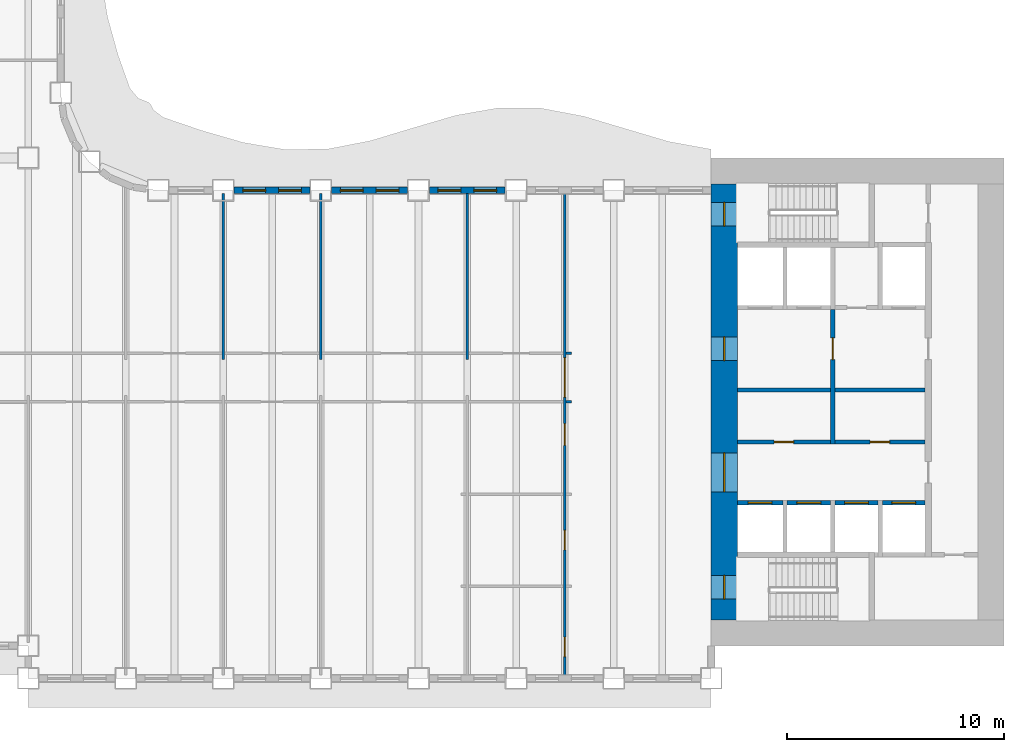
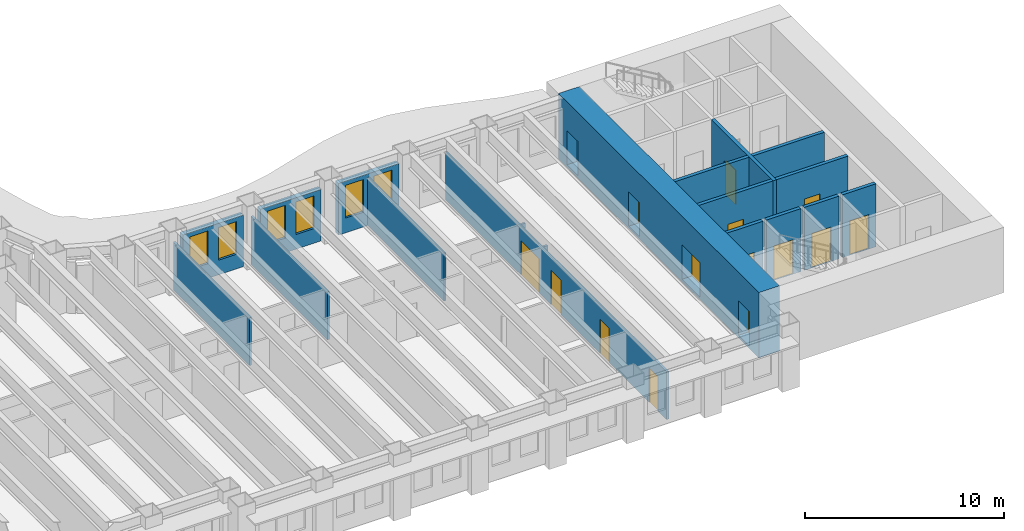
# One storey, part 6 of 16: 19 walls, 15 doors, 6 windows, 21 openings.
"""IFC4 building model written with IfcOpenShell, lengths in metres."""

from ifc_helpers import new_model, si_unit, direction, frame, frame_2d, origin, place, context, subcontext, project, spatial, rectangle, extrude, material, layer, layer_set, type_object, element, fill, save


model = new_model("IFC4")

# Units and contexts
model_context = context("Model", 3, precision=1e-05, world=origin(), true_north=direction((0.0, 1.0)))
body_context = subcontext(model_context, "Body", "Model", "MODEL_VIEW")
ifc_project = project(units=[si_unit("LENGTHUNIT", "METRE"), si_unit("AREAUNIT", "SQUARE_METRE"), si_unit("VOLUMEUNIT", "CUBIC_METRE"), si_unit("PLANEANGLEUNIT", "RADIAN"), si_unit("MASSUNIT", "GRAM", prefix="KILO")], contexts=[model_context])

# Site, building, storey
site_placement = place(None, origin())
site = spatial("IfcSite", under=ifc_project, at=site_placement, CompositionType="ELEMENT")
building_placement = place(site_placement, origin())
building = spatial("IfcBuilding", under=site, at=building_placement, Name="Sennacour Bend Tower", CompositionType="ELEMENT")
storey_placement = place(building_placement, frame((0.0, 0.0, 87.0)))
storey = spatial("IfcBuildingStorey", under=building, at=storey_placement, Name="L19", CompositionType="ELEMENT", Elevation=87.0)

# Wall, openings, doors
ifc_material_1 = material(Name="Concrete C80/95", Category="concrete")
ifc_layer_1 = layer(ifc_material_1, 1.199951171875, Name="Concrete C80/95", Category="concrete")
ifc_layer_set_1 = layer_set([ifc_layer_1], Name="Concrete C80/95")
wall_type_1 = type_object("IfcWallType", Name="Core wall 1200 C80/95", PredefinedType="SHEAR", material=ifc_layer_set_1)
wall_1_placement = place(storey_placement, frame((54.60009765625, 1.199951171875, -0.14990234375), z_axis=(0.0, 0.0, 1.0), x_axis=(0.0, 1.0, 0.0)))
wall_1 = element("IfcWall", 1, at=wall_1_placement, inside=storey, type_object=wall_type_1, Name="Core A wall L19 W", PredefinedType="SHEAR", context=body_context, shape_type="SweptSolid", body=[
    extrude(rectangle(XDim=20.10009765625, YDim=1.199951171875, at=frame_2d((10.050048828125, 0.0))), origin(), (0.0, 0.0, 1.0), 4.0),
])
opening_1_placement = place(wall_1_placement, frame((5.89990234375, 0.0, 0.14990234375)))
opening_1 = element("IfcOpeningElement", 2, at=opening_1_placement, cuts=wall_1, Name="Opening CD", PredefinedType="OPENING", context=body_context, shape_type="SweptSolid", body=[
    extrude(rectangle(XDim=1.800048828125, YDim=2.10009765625, at=frame_2d((0.89990234375, 1.050048828125))), frame((0.0, 0.60986328125, 0.0), z_axis=(0.0, -1.0, 0.0), x_axis=(1.0, 0.0, 0.0)), (0.0, 0.0, 1.0), 1.219970703125),
])
opening_2_placement = place(wall_1_placement, frame((11.949951171875, 0.0, 0.14990234375)))
opening_2 = element("IfcOpeningElement", 3, at=opening_2_placement, cuts=wall_1, Name="Opening FD", PredefinedType="OPENING", context=body_context, shape_type="SweptSolid", body=[
    extrude(rectangle(XDim=1.10009765625, YDim=2.10009765625, at=frame_2d((0.550048828125, 1.050048828125))), frame((0.0, 0.60986328125, 0.0), z_axis=(0.0, -1.0, 0.0), x_axis=(1.0, 0.0, 0.0)), (0.0, 0.0, 1.0), 1.219970703125),
])
opening_3_placement = place(wall_1_placement, frame((0.949951171875, 0.0, 0.14990234375)))
opening_3 = element("IfcOpeningElement", 4, at=opening_3_placement, cuts=wall_1, Name="Opening SD", PredefinedType="OPENING", context=body_context, shape_type="SweptSolid", body=[
    extrude(rectangle(XDim=1.10009765625, YDim=2.10009765625, at=frame_2d((0.550048828125, 1.050048828125))), frame((0.0, 0.60986328125, 0.0), z_axis=(0.0, -1.0, 0.0), x_axis=(1.0, 0.0, 0.0)), (0.0, 0.0, 1.0), 1.219970703125),
])
opening_4_placement = place(wall_1_placement, frame((18.14990234375, 0.0, 0.14990234375)))
opening_4 = element("IfcOpeningElement", 5, at=opening_4_placement, cuts=wall_1, Name="Opening SD", PredefinedType="OPENING", context=body_context, shape_type="SweptSolid", body=[
    extrude(rectangle(XDim=1.10009765625, YDim=2.10009765625, at=frame_2d((0.550048828125, 1.050048828125))), frame((0.0, 0.60986328125, 0.0), z_axis=(0.0, -1.0, 0.0), x_axis=(1.0, 0.0, 0.0)), (0.0, 0.0, 1.0), 1.219970703125),
])
ifc_material_2 = material(Name="Painted steel", Category="steel")
door_type_1 = type_object("IfcDoorType", Name="DR-FFL-1100", OperationType="NOTDEFINED", PredefinedType="DOOR", material=ifc_material_2)
door_1_placement = place(opening_2_placement, origin())
door_1 = element("IfcDoor", 6, at=door_1_placement, inside=storey, type_object=door_type_1, Name="Door", OperationType="SINGLE_SWING_RIGHT", OverallHeight=2.10009765625, OverallWidth=1.10009765625, PredefinedType="DOOR", context=body_context, shape_type="SweptSolid", body=[
    extrude(rectangle(XDim=1.10009765625, YDim=2.10009765625, at=frame_2d((0.550048828125, 1.050048828125))), frame((0.0, 0.02490234375, 0.0), z_axis=(0.0, -1.0, 0.0), x_axis=(1.0, 0.0, 0.0)), (0.0, 0.0, 1.0), 0.050048828125),
])
fill(opening_2, door_1)
door_type_2 = type_object("IfcDoorType", Name="DR-LOBBY-1800", OperationType="NOTDEFINED", PredefinedType="DOOR", material=ifc_material_2)
door_2_placement = place(opening_1_placement, origin())
door_2 = element("IfcDoor", 7, at=door_2_placement, inside=storey, type_object=door_type_2, Name="Door", OperationType="DOUBLE_DOOR_SINGLE_SWING", OverallHeight=2.10009765625, OverallWidth=1.800048828125, PredefinedType="DOOR", context=body_context, shape_type="SweptSolid", body=[
    extrude(rectangle(XDim=1.800048828125, YDim=2.10009765625, at=frame_2d((0.89990234375, 1.050048828125))), frame((0.0, 0.02490234375, 0.0), z_axis=(0.0, -1.0, 0.0), x_axis=(1.0, 0.0, 0.0)), (0.0, 0.0, 1.0), 0.050048828125),
])
fill(opening_1, door_2)
door_type_3 = type_object("IfcDoorType", Name="DR-STAIR-1100", OperationType="NOTDEFINED", PredefinedType="DOOR", material=ifc_material_2)
door_3_placement = place(opening_3_placement, origin())
door_3 = element("IfcDoor", 8, at=door_3_placement, inside=storey, type_object=door_type_3, Name="Door", OperationType="SINGLE_SWING_LEFT", OverallHeight=2.10009765625, OverallWidth=1.10009765625, PredefinedType="DOOR", context=body_context, shape_type="SweptSolid", body=[
    extrude(rectangle(XDim=1.10009765625, YDim=2.10009765625, at=frame_2d((0.550048828125, 1.050048828125))), frame((0.0, 0.02490234375, 0.0), z_axis=(0.0, -1.0, 0.0), x_axis=(1.0, 0.0, 0.0)), (0.0, 0.0, 1.0), 0.050048828125),
])
fill(opening_3, door_3)
door_4_placement = place(opening_4_placement, origin())
door_4 = element("IfcDoor", 9, at=door_4_placement, inside=storey, type_object=door_type_3, Name="Door", OperationType="SINGLE_SWING_RIGHT", OverallHeight=2.10009765625, OverallWidth=1.10009765625, PredefinedType="DOOR", context=body_context, shape_type="SweptSolid", body=[
    extrude(rectangle(XDim=1.10009765625, YDim=2.10009765625, at=frame_2d((0.550048828125, 1.050048828125))), frame((0.0, 0.02490234375, 0.0), z_axis=(0.0, -1.0, 0.0), x_axis=(1.0, 0.0, 0.0)), (0.0, 0.0, 1.0), 0.050048828125),
])
fill(opening_4, door_4)

# Walls
ifc_material_3 = material(Name="Plasterboard partition on steel studs", Category="steel")
ifc_layer_2 = layer(ifc_material_3, 0.1201171875, Name="Plasterboard partition on steel studs", Category="steel")
ifc_layer_set_2 = layer_set([ifc_layer_2], Name="Plasterboard partition on steel studs")
wall_type_2 = type_object("IfcWallType", Name="Partition 120", PredefinedType="PARTITIONING", material=ifc_layer_set_2)
for number, where, z_axis, x_axis, name in (
    (10, (31.5, 13.199951171875, 0.0), (0.0, 0.0, 1.0), (0.0, 1.0, 0.0), "P-L19-W029a"),
    (11, (36.0, 13.199951171875, 0.0), (0.0, 0.0, 1.0), (0.0, 1.0, 0.0), "P-L19-W031a"),
    (12, (42.75, 13.199951171875, 0.0), (0.0, 0.0, 1.0), (0.0, 1.0, 0.0), "P-L19-W033a"),
):
    element("IfcWall", number, at=place(storey_placement, frame(where, z_axis=z_axis, x_axis=x_axis)), inside=storey, type_object=wall_type_2, Name=name, PredefinedType="PARTITIONING", context=body_context, shape_type="SweptSolid", body=[
        extrude(rectangle(XDim=7.650146484375, YDim=0.1201171875, at=frame_2d((3.8251953125, 0.0))), origin(), (0.0, 0.0, 1.0), 2.93798828125),
    ])
for number, where, z_axis, x_axis, name in (
    (13, (47.31005859375, 11.25, 0.0), (0.0, 0.0, 1.0), (1.0, 0.0, 0.0), "P-L19-W058ai"),
    (14, (47.31005859375, 13.5, 0.0), (0.0, 0.0, 1.0), (1.0, 0.0, 0.0), "P-L19-W060ah"),
):
    element("IfcWall", number, at=place(storey_placement, frame(where, z_axis=z_axis, x_axis=x_axis)), inside=storey, type_object=wall_type_2, Name=name, PredefinedType="PARTITIONING", context=body_context, shape_type="SweptSolid", body=[
        extrude(rectangle(XDim=0.239990234375, YDim=0.1201171875, at=frame_2d((0.1201171875, 0.0))), origin(), (0.0, 0.0, 1.0), 2.93798828125),
    ])

# Wall, openings, doors
ifc_layer_3 = layer(ifc_material_3, 0.1201171875, Name="Plasterboard partition on steel studs", Category="steel")
ifc_layer_set_3 = layer_set([ifc_layer_3], Name="Plasterboard partition on steel studs")
wall_type_3 = type_object("IfcWallType", Name="Partition 120 EI 30", PredefinedType="PARTITIONING", material=ifc_layer_set_3)
wall_2_placement = place(storey_placement, frame((47.25, -1.35009765625, 0.0), z_axis=(0.0, 0.0, 1.0), x_axis=(0.0, 1.0, 0.0)))
wall_2 = element("IfcWall", 15, at=wall_2_placement, inside=storey, type_object=wall_type_3, Name="P-L19-W034a", PredefinedType="PARTITIONING", context=body_context, shape_type="SweptSolid", body=[
    extrude(rectangle(XDim=22.2001953125, YDim=0.1201171875, at=frame_2d((11.10009765625, 0.0))), origin(), (0.0, 0.0, 1.0), 2.93798828125),
])
opening_5_placement = place(wall_2_placement, frame((12.8251953125, 0.0, 0.0)))
opening_5 = element("IfcOpeningElement", 16, at=opening_5_placement, cuts=wall_2, Name="Opening KD3", PredefinedType="OPENING", context=body_context, shape_type="SweptSolid", body=[
    extrude(rectangle(XDim=1.800048828125, YDim=2.10009765625, at=frame_2d((0.89990234375, 1.050048828125))), frame((0.0, 0.070068359375, 0.0), z_axis=(0.0, -1.0, 0.0), x_axis=(1.0, 0.0, 0.0)), (0.0, 0.0, 1.0), 0.14013671875),
])
opening_6_placement = place(wall_2_placement, frame((0.85009765625, 0.0, 0.0)))
opening_6 = element("IfcOpeningElement", 17, at=opening_6_placement, cuts=wall_2, Name="Opening WD", PredefinedType="OPENING", context=body_context, shape_type="SweptSolid", body=[
    extrude(rectangle(XDim=0.89990234375, YDim=2.10009765625, at=frame_2d((0.449951171875, 1.050048828125))), frame((0.0, 0.070068359375, 0.0), z_axis=(0.0, -1.0, 0.0), x_axis=(1.0, 0.0, 0.0)), (0.0, 0.0, 1.0), 0.14013671875),
])
opening_7_placement = place(wall_2_placement, frame((5.775146484375, 0.0, 0.0)))
opening_7 = element("IfcOpeningElement", 18, at=opening_7_placement, cuts=wall_2, Name="Opening WD", PredefinedType="OPENING", context=body_context, shape_type="SweptSolid", body=[
    extrude(rectangle(XDim=0.89990234375, YDim=2.10009765625, at=frame_2d((0.449951171875, 1.050048828125))), frame((0.0, 0.070068359375, 0.0), z_axis=(0.0, -1.0, 0.0), x_axis=(1.0, 0.0, 0.0)), (0.0, 0.0, 1.0), 0.14013671875),
])
opening_8_placement = place(wall_2_placement, frame((10.60009765625, 0.0, 0.0)))
opening_8 = element("IfcOpeningElement", 19, at=opening_8_placement, cuts=wall_2, Name="Opening AD", PredefinedType="OPENING", context=body_context, shape_type="SweptSolid", body=[
    extrude(rectangle(XDim=1.0, YDim=2.10009765625, at=frame_2d((0.5, 1.050048828125))), frame((0.0, 0.070068359375, 0.0), z_axis=(0.0, -1.0, 0.0), x_axis=(1.0, 0.0, 0.0)), (0.0, 0.0, 1.0), 0.14013671875),
])
ifc_material_4 = material(Name="Timber", Category="wood")
door_type_4 = type_object("IfcDoorType", Name="DR-ACC-WC-1000", OperationType="NOTDEFINED", PredefinedType="DOOR", material=ifc_material_4)
door_5_placement = place(opening_8_placement, origin())
door_5 = element("IfcDoor", 20, at=door_5_placement, inside=storey, type_object=door_type_4, Name="Door", OperationType="SINGLE_SWING_RIGHT", OverallHeight=2.10009765625, OverallWidth=1.0, PredefinedType="DOOR", context=body_context, shape_type="SweptSolid", body=[
    extrude(rectangle(XDim=1.0, YDim=2.10009765625, at=frame_2d((0.5, 1.050048828125))), frame((0.0, 0.02490234375, 0.0), z_axis=(0.0, -1.0, 0.0), x_axis=(1.0, 0.0, 0.0)), (0.0, 0.0, 1.0), 0.050048828125),
])
fill(opening_8, door_5)
door_type_5 = type_object("IfcDoorType", Name="DR-CORRIDOR-1800", OperationType="NOTDEFINED", PredefinedType="DOOR", material=ifc_material_2)
door_6_placement = place(opening_5_placement, origin())
door_6 = element("IfcDoor", 21, at=door_6_placement, inside=storey, type_object=door_type_5, Name="Door", OperationType="DOUBLE_DOOR_SINGLE_SWING", OverallHeight=2.10009765625, OverallWidth=1.800048828125, PredefinedType="DOOR", context=body_context, shape_type="SweptSolid", body=[
    extrude(rectangle(XDim=1.800048828125, YDim=2.10009765625, at=frame_2d((0.89990234375, 1.050048828125))), frame((0.0, 0.02490234375, 0.0), z_axis=(0.0, -1.0, 0.0), x_axis=(1.0, 0.0, 0.0)), (0.0, 0.0, 1.0), 0.050048828125),
])
fill(opening_5, door_6)
door_type_6 = type_object("IfcDoorType", Name="DR-WC-900", OperationType="NOTDEFINED", PredefinedType="DOOR", material=ifc_material_4)
door_7_placement = place(opening_6_placement, origin())
door_7 = element("IfcDoor", 22, at=door_7_placement, inside=storey, type_object=door_type_6, Name="Door", OperationType="SINGLE_SWING_LEFT", OverallHeight=2.10009765625, OverallWidth=0.89990234375, PredefinedType="DOOR", context=body_context, shape_type="SweptSolid", body=[
    extrude(rectangle(XDim=0.89990234375, YDim=2.10009765625, at=frame_2d((0.449951171875, 1.050048828125))), frame((0.0, 0.02490234375, 0.0), z_axis=(0.0, -1.0, 0.0), x_axis=(1.0, 0.0, 0.0)), (0.0, 0.0, 1.0), 0.050048828125),
])
fill(opening_6, door_7)
door_8_placement = place(opening_7_placement, origin())
door_8 = element("IfcDoor", 23, at=door_8_placement, inside=storey, type_object=door_type_6, Name="Door", OperationType="SINGLE_SWING_LEFT", OverallHeight=2.10009765625, OverallWidth=0.89990234375, PredefinedType="DOOR", context=body_context, shape_type="SweptSolid", body=[
    extrude(rectangle(XDim=0.89990234375, YDim=2.10009765625, at=frame_2d((0.449951171875, 1.050048828125))), frame((0.0, 0.02490234375, 0.0), z_axis=(0.0, -1.0, 0.0), x_axis=(1.0, 0.0, 0.0)), (0.0, 0.0, 1.0), 0.050048828125),
])
fill(opening_7, door_8)

# Wall, opening, door
ifc_material_5 = material(Name="Fire-rated plasterboard partition on steel studs", Category="steel")
ifc_layer_4 = layer(ifc_material_5, 0.199951171875, Name="Fire-rated plasterboard partition on steel studs", Category="steel")
ifc_layer_set_4 = layer_set([ifc_layer_4], Name="Fire-rated plasterboard partition on steel studs")
wall_type_4 = type_object("IfcWallType", Name="Rated partition 200", PredefinedType="PARTITIONING", material=ifc_layer_set_4)
wall_3_placement = place(storey_placement, frame((55.199951171875, 9.39990234375, 0.0), z_axis=(0.0, 0.0, 1.0), x_axis=(1.0, 0.0, 0.0)))
wall_3 = element("IfcWall", 24, at=wall_3_placement, inside=storey, type_object=wall_type_4, Name="P-L19-W057a", PredefinedType="PARTITIONING", context=body_context, shape_type="SweptSolid", body=[
    extrude(rectangle(XDim=4.300048828125, YDim=0.199951171875, at=frame_2d((2.14990234375, 0.0))), origin(), (0.0, 0.0, 1.0), 3.85009765625),
])
opening_9_placement = place(wall_3_placement, frame((1.699951171875, 0.0, 0.0)))
opening_9 = element("IfcOpeningElement", 25, at=opening_9_placement, cuts=wall_3, Name="Opening SV", PredefinedType="OPENING", context=body_context, shape_type="SweptSolid", body=[
    extrude(rectangle(XDim=0.89990234375, YDim=2.10009765625, at=frame_2d((0.449951171875, 1.050048828125))), frame((0.0, 0.10986328125, 0.0), z_axis=(0.0, -1.0, 0.0), x_axis=(1.0, 0.0, 0.0)), (0.0, 0.0, 1.0), 0.219970703125),
])
door_type_7 = type_object("IfcDoorType", Name="DR-SERVICE-900", OperationType="NOTDEFINED", PredefinedType="DOOR", material=ifc_material_2)
door_9_placement = place(opening_9_placement, origin())
door_9 = element("IfcDoor", 26, at=door_9_placement, inside=storey, type_object=door_type_7, Name="Door", OperationType="SINGLE_SWING_LEFT", OverallHeight=2.10009765625, OverallWidth=0.89990234375, PredefinedType="DOOR", context=body_context, shape_type="SweptSolid", body=[
    extrude(rectangle(XDim=0.89990234375, YDim=2.10009765625, at=frame_2d((0.449951171875, 1.050048828125))), frame((0.0, 0.02490234375, 0.0), z_axis=(0.0, -1.0, 0.0), x_axis=(1.0, 0.0, 0.0)), (0.0, 0.0, 1.0), 0.050048828125),
])
fill(opening_9, door_9)

wall_4_placement = place(storey_placement, frame((59.699951171875, 9.39990234375, 0.0), z_axis=(0.0, 0.0, 1.0), x_axis=(1.0, 0.0, 0.0)))
wall_4 = element("IfcWall", 27, at=wall_4_placement, inside=storey, type_object=wall_type_4, Name="P-L19-W057b", PredefinedType="PARTITIONING", context=body_context, shape_type="SweptSolid", body=[
    extrude(rectangle(XDim=4.150146484375, YDim=0.199951171875, at=frame_2d((2.0751953125, 0.0))), origin(), (0.0, 0.0, 1.0), 3.85009765625),
])
opening_10_placement = place(wall_4_placement, frame((1.625, 0.0, 0.0)))
opening_10 = element("IfcOpeningElement", 28, at=opening_10_placement, cuts=wall_4, Name="Opening SV", PredefinedType="OPENING", context=body_context, shape_type="SweptSolid", body=[
    extrude(rectangle(XDim=0.89990234375, YDim=2.10009765625, at=frame_2d((0.449951171875, 1.050048828125))), frame((0.0, 0.10986328125, 0.0), z_axis=(0.0, -1.0, 0.0), x_axis=(1.0, 0.0, 0.0)), (0.0, 0.0, 1.0), 0.219970703125),
])
door_10_placement = place(opening_10_placement, origin())
door_10 = element("IfcDoor", 29, at=door_10_placement, inside=storey, type_object=door_type_7, Name="Door", OperationType="SINGLE_SWING_LEFT", OverallHeight=2.10009765625, OverallWidth=0.89990234375, PredefinedType="DOOR", context=body_context, shape_type="SweptSolid", body=[
    extrude(rectangle(XDim=0.89990234375, YDim=2.10009765625, at=frame_2d((0.449951171875, 1.050048828125))), frame((0.0, 0.02490234375, 0.0), z_axis=(0.0, -1.0, 0.0), x_axis=(1.0, 0.0, 0.0)), (0.0, 0.0, 1.0), 0.050048828125),
])
fill(opening_10, door_10)

# Walls
wall_5_placement = place(storey_placement, frame((55.199951171875, 11.800048828125, 0.0), z_axis=(0.0, 0.0, 1.0), x_axis=(1.0, 0.0, 0.0)))
element("IfcWall", 30, at=wall_5_placement, inside=storey, type_object=wall_type_4, Name="P-L19-W059a", PredefinedType="PARTITIONING", context=body_context, shape_type="SweptSolid", body=[
    extrude(rectangle(XDim=4.300048828125, YDim=0.199951171875, at=frame_2d((2.14990234375, 0.0))), origin(), (0.0, 0.0, 1.0), 3.85009765625),
])
wall_6_placement = place(storey_placement, frame((59.699951171875, 11.800048828125, 0.0), z_axis=(0.0, 0.0, 1.0), x_axis=(1.0, 0.0, 0.0)))
element("IfcWall", 31, at=wall_6_placement, inside=storey, type_object=wall_type_4, Name="P-L19-W059b", PredefinedType="PARTITIONING", context=body_context, shape_type="SweptSolid", body=[
    extrude(rectangle(XDim=4.150146484375, YDim=0.199951171875, at=frame_2d((2.0751953125, 0.0))), origin(), (0.0, 0.0, 1.0), 3.85009765625),
])

# Wall, opening, door
ifc_layer_5 = layer(ifc_material_5, 0.199951171875, Name="Fire-rated plasterboard partition on steel studs", Category="steel")
ifc_layer_set_5 = layer_set([ifc_layer_5], Name="Fire-rated plasterboard partition on steel studs")
wall_type_5 = type_object("IfcWallType", Name="Rated partition 200 EI 90", PredefinedType="PARTITIONING", material=ifc_layer_set_5)
wall_7_placement = place(storey_placement, frame((59.60009765625, 9.300048828125, 0.0), z_axis=(0.0, 0.0, 1.0), x_axis=(0.0, 1.0, 0.0)))
wall_7 = element("IfcWall", 32, at=wall_7_placement, inside=storey, type_object=wall_type_5, Name="P-L19-W039", PredefinedType="PARTITIONING", context=body_context, shape_type="SweptSolid", body=[
    extrude(rectangle(XDim=6.199951171875, YDim=0.199951171875, at=frame_2d((3.10009765625, 0.0))), origin(), (0.0, 0.0, 1.0), 3.85009765625),
])
opening_11_placement = place(wall_7_placement, frame((3.89990234375, 0.0, 0.0)))
opening_11 = element("IfcOpeningElement", 33, at=opening_11_placement, cuts=wall_7, Name="Opening FD2", PredefinedType="OPENING", context=body_context, shape_type="SweptSolid", body=[
    extrude(rectangle(XDim=1.0, YDim=2.10009765625, at=frame_2d((0.5, 1.050048828125))), frame((0.0, 0.10986328125, 0.0), z_axis=(0.0, -1.0, 0.0), x_axis=(1.0, 0.0, 0.0)), (0.0, 0.0, 1.0), 0.219970703125),
])
door_type_8 = type_object("IfcDoorType", Name="DR-FFL-1000", OperationType="NOTDEFINED", PredefinedType="DOOR", material=ifc_material_2)
door_11_placement = place(opening_11_placement, origin())
door_11 = element("IfcDoor", 34, at=door_11_placement, inside=storey, type_object=door_type_8, Name="Door", OperationType="SINGLE_SWING_RIGHT", OverallHeight=2.10009765625, OverallWidth=1.0, PredefinedType="DOOR", context=body_context, shape_type="SweptSolid", body=[
    extrude(rectangle(XDim=1.0, YDim=2.10009765625, at=frame_2d((0.5, 1.050048828125))), frame((0.0, 0.02490234375, 0.0), z_axis=(0.0, -1.0, 0.0), x_axis=(1.0, 0.0, 0.0)), (0.0, 0.0, 1.0), 0.050048828125),
])
fill(opening_11, door_11)

# Wall, openings, windows
ifc_material_6 = material(Name="Warm limestone cladding", Category="masonry")
ifc_layer_6 = layer(ifc_material_6, 0.050048828125, Name="Warm limestone cladding", Category="masonry")
ifc_material_7 = material(Name="Precast concrete C40/50", Category="concrete")
ifc_layer_7 = layer(ifc_material_7, 0.25, Name="Precast concrete C40/50", Category="concrete")
ifc_layer_set_6 = layer_set([ifc_layer_6, ifc_layer_7], Name="Precast concrete C40/50 with limestone cladding")
wall_type_6 = type_object("IfcWallType", Name="STONE-CLAD PRECAST SPANDREL 300", PredefinedType="STANDARD", material=ifc_layer_set_6)
wall_8_placement = place(storey_placement, frame((44.5, 21.0, 0.0), z_axis=(0.0, 0.0, 1.0), x_axis=(-1.0, 0.0, 0.0)))
wall_8 = element("IfcWall", 35, at=wall_8_placement, inside=storey, type_object=wall_type_6, Name="Stone spandrel and pier wall L19 06.02", PredefinedType="STANDARD", context=body_context, shape_type="SweptSolid", body=[
    extrude(rectangle(XDim=3.5, YDim=0.300048828125, at=frame_2d((1.75, 0.0))), origin(), (0.0, 0.0, 1.0), 3.154052734375),
])
opening_12_placement = place(wall_8_placement, frame((0.39990234375, 0.0, 0.89990234375)))
opening_12 = element("IfcOpeningElement", 36, at=opening_12_placement, cuts=wall_8, Name="Opening W13", PredefinedType="OPENING", context=body_context, shape_type="SweptSolid", body=[
    extrude(rectangle(XDim=1.050048828125, YDim=2.0, at=frame_2d((0.52490234375, 1.0))), frame((0.0, 0.16015625, 0.0), z_axis=(0.0, -1.0, 0.0), x_axis=(1.0, 0.0, 0.0)), (0.0, 0.0, 1.0), 0.320068359375),
])
opening_13_placement = place(wall_8_placement, frame((2.050048828125, 0.0, 0.89990234375)))
opening_13 = element("IfcOpeningElement", 37, at=opening_13_placement, cuts=wall_8, Name="Opening W13", PredefinedType="OPENING", context=body_context, shape_type="SweptSolid", body=[
    extrude(rectangle(XDim=1.050048828125, YDim=2.0, at=frame_2d((0.52490234375, 1.0))), frame((0.0, 0.16015625, 0.0), z_axis=(0.0, -1.0, 0.0), x_axis=(1.0, 0.0, 0.0)), (0.0, 0.0, 1.0), 0.320068359375),
])
ifc_material_8 = material(Name="Clear low-emissivity glass", Category="glass")
window_type = type_object("IfcWindowType", Name="WIN-RIBBON-1050x2000", PartitioningType="SINGLE_PANEL", PredefinedType="WINDOW", material=ifc_material_8)
window_1_placement = place(opening_12_placement, origin())
window_1 = element("IfcWindow", 38, at=window_1_placement, inside=storey, type_object=window_type, Name="Ribbon window L19 06.02.0", OverallHeight=2.0, OverallWidth=1.050048828125, PartitioningType="SINGLE_PANEL", PredefinedType="WINDOW", context=body_context, shape_type="SweptSolid", body=[
    extrude(rectangle(XDim=1.050048828125, YDim=2.0, at=frame_2d((0.52490234375, 1.0))), frame((0.0, 0.030029296875, 0.0), z_axis=(0.0, -1.0, 0.0), x_axis=(1.0, 0.0, 0.0)), (0.0, 0.0, 1.0), 0.06005859375),
])
fill(opening_12, window_1)
window_2_placement = place(opening_13_placement, origin())
window_2 = element("IfcWindow", 39, at=window_2_placement, inside=storey, type_object=window_type, Name="Ribbon window L19 06.02.1", OverallHeight=2.0, OverallWidth=1.050048828125, PartitioningType="SINGLE_PANEL", PredefinedType="WINDOW", context=body_context, shape_type="SweptSolid", body=[
    extrude(rectangle(XDim=1.050048828125, YDim=2.0, at=frame_2d((0.52490234375, 1.0))), frame((0.0, 0.030029296875, 0.0), z_axis=(0.0, -1.0, 0.0), x_axis=(1.0, 0.0, 0.0)), (0.0, 0.0, 1.0), 0.06005859375),
])
fill(opening_13, window_2)

wall_9_placement = place(storey_placement, frame((40.0, 21.0, 0.0), z_axis=(0.0, 0.0, 1.0), x_axis=(-1.0, 0.0, 0.0)))
wall_9 = element("IfcWall", 40, at=wall_9_placement, inside=storey, type_object=wall_type_6, Name="Stone spandrel and pier wall L19 06.03", PredefinedType="STANDARD", context=body_context, shape_type="SweptSolid", body=[
    extrude(rectangle(XDim=3.5, YDim=0.300048828125, at=frame_2d((1.75, 0.0))), origin(), (0.0, 0.0, 1.0), 3.154052734375),
])
opening_14_placement = place(wall_9_placement, frame((0.39990234375, 0.0, 0.89990234375)))
opening_14 = element("IfcOpeningElement", 41, at=opening_14_placement, cuts=wall_9, Name="Opening W13", PredefinedType="OPENING", context=body_context, shape_type="SweptSolid", body=[
    extrude(rectangle(XDim=1.050048828125, YDim=2.0, at=frame_2d((0.52490234375, 1.0))), frame((0.0, 0.16015625, 0.0), z_axis=(0.0, -1.0, 0.0), x_axis=(1.0, 0.0, 0.0)), (0.0, 0.0, 1.0), 0.320068359375),
])
opening_15_placement = place(wall_9_placement, frame((2.050048828125, 0.0, 0.89990234375)))
opening_15 = element("IfcOpeningElement", 42, at=opening_15_placement, cuts=wall_9, Name="Opening W13", PredefinedType="OPENING", context=body_context, shape_type="SweptSolid", body=[
    extrude(rectangle(XDim=1.050048828125, YDim=2.0, at=frame_2d((0.52490234375, 1.0))), frame((0.0, 0.16015625, 0.0), z_axis=(0.0, -1.0, 0.0), x_axis=(1.0, 0.0, 0.0)), (0.0, 0.0, 1.0), 0.320068359375),
])
window_3_placement = place(opening_14_placement, origin())
window_3 = element("IfcWindow", 43, at=window_3_placement, inside=storey, type_object=window_type, Name="Ribbon window L19 06.03.0", OverallHeight=2.0, OverallWidth=1.050048828125, PartitioningType="SINGLE_PANEL", PredefinedType="WINDOW", context=body_context, shape_type="SweptSolid", body=[
    extrude(rectangle(XDim=1.050048828125, YDim=2.0, at=frame_2d((0.52490234375, 1.0))), frame((0.0, 0.030029296875, 0.0), z_axis=(0.0, -1.0, 0.0), x_axis=(1.0, 0.0, 0.0)), (0.0, 0.0, 1.0), 0.06005859375),
])
fill(opening_14, window_3)
window_4_placement = place(opening_15_placement, origin())
window_4 = element("IfcWindow", 44, at=window_4_placement, inside=storey, type_object=window_type, Name="Ribbon window L19 06.03.1", OverallHeight=2.0, OverallWidth=1.050048828125, PartitioningType="SINGLE_PANEL", PredefinedType="WINDOW", context=body_context, shape_type="SweptSolid", body=[
    extrude(rectangle(XDim=1.050048828125, YDim=2.0, at=frame_2d((0.52490234375, 1.0))), frame((0.0, 0.030029296875, 0.0), z_axis=(0.0, -1.0, 0.0), x_axis=(1.0, 0.0, 0.0)), (0.0, 0.0, 1.0), 0.06005859375),
])
fill(opening_15, window_4)

wall_10_placement = place(storey_placement, frame((35.5, 21.0, 0.0), z_axis=(0.0, 0.0, 1.0), x_axis=(-1.0, 0.0, 0.0)))
wall_10 = element("IfcWall", 45, at=wall_10_placement, inside=storey, type_object=wall_type_6, Name="Stone spandrel and pier wall L19 06.04", PredefinedType="STANDARD", context=body_context, shape_type="SweptSolid", body=[
    extrude(rectangle(XDim=3.5, YDim=0.300048828125, at=frame_2d((1.75, 0.0))), origin(), (0.0, 0.0, 1.0), 3.154052734375),
])
opening_16_placement = place(wall_10_placement, frame((0.39990234375, 0.0, 0.89990234375)))
opening_16 = element("IfcOpeningElement", 46, at=opening_16_placement, cuts=wall_10, Name="Opening W13", PredefinedType="OPENING", context=body_context, shape_type="SweptSolid", body=[
    extrude(rectangle(XDim=1.050048828125, YDim=2.0, at=frame_2d((0.52490234375, 1.0))), frame((0.0, 0.16015625, 0.0), z_axis=(0.0, -1.0, 0.0), x_axis=(1.0, 0.0, 0.0)), (0.0, 0.0, 1.0), 0.320068359375),
])
opening_17_placement = place(wall_10_placement, frame((2.050048828125, 0.0, 0.89990234375)))
opening_17 = element("IfcOpeningElement", 47, at=opening_17_placement, cuts=wall_10, Name="Opening W13", PredefinedType="OPENING", context=body_context, shape_type="SweptSolid", body=[
    extrude(rectangle(XDim=1.050048828125, YDim=2.0, at=frame_2d((0.52490234375, 1.0))), frame((0.0, 0.16015625, 0.0), z_axis=(0.0, -1.0, 0.0), x_axis=(1.0, 0.0, 0.0)), (0.0, 0.0, 1.0), 0.320068359375),
])
window_5_placement = place(opening_16_placement, origin())
window_5 = element("IfcWindow", 48, at=window_5_placement, inside=storey, type_object=window_type, Name="Ribbon window L19 06.04.0", OverallHeight=2.0, OverallWidth=1.050048828125, PartitioningType="SINGLE_PANEL", PredefinedType="WINDOW", context=body_context, shape_type="SweptSolid", body=[
    extrude(rectangle(XDim=1.050048828125, YDim=2.0, at=frame_2d((0.52490234375, 1.0))), frame((0.0, 0.030029296875, 0.0), z_axis=(0.0, -1.0, 0.0), x_axis=(1.0, 0.0, 0.0)), (0.0, 0.0, 1.0), 0.06005859375),
])
fill(opening_16, window_5)
window_6_placement = place(opening_17_placement, origin())
window_6 = element("IfcWindow", 49, at=window_6_placement, inside=storey, type_object=window_type, Name="Ribbon window L19 06.04.1", OverallHeight=2.0, OverallWidth=1.050048828125, PartitioningType="SINGLE_PANEL", PredefinedType="WINDOW", context=body_context, shape_type="SweptSolid", body=[
    extrude(rectangle(XDim=1.050048828125, YDim=2.0, at=frame_2d((0.52490234375, 1.0))), frame((0.0, 0.030029296875, 0.0), z_axis=(0.0, -1.0, 0.0), x_axis=(1.0, 0.0, 0.0)), (0.0, 0.0, 1.0), 0.06005859375),
])
fill(opening_17, window_6)

# Wall, opening, door
ifc_material_9 = material(Name="Concrete C50/60", Category="concrete")
ifc_layer_8 = layer(ifc_material_9, 0.199951171875, Name="Concrete C50/60", Category="concrete")
ifc_layer_set_7 = layer_set([ifc_layer_8], Name="Concrete C50/60")
wall_type_7 = type_object("IfcWallType", Name="Shaft wall 200", PredefinedType="SOLIDWALL", material=ifc_layer_set_7)
wall_11_placement = place(storey_placement, frame((55.199951171875, 6.60009765625, 0.0), z_axis=(0.0, 0.0, 1.0), x_axis=(1.0, 0.0, 0.0)))
wall_11 = element("IfcWall", 50, at=wall_11_placement, inside=storey, type_object=wall_type_7, Name="P-L19-W055a", PredefinedType="SOLIDWALL", context=body_context, shape_type="SweptSolid", body=[
    extrude(rectangle(XDim=2.10009765625, YDim=0.199951171875, at=frame_2d((1.050048828125, 0.0))), origin(), (0.0, 0.0, 1.0), 3.85009765625),
])
opening_18_placement = place(wall_11_placement, frame((0.5, 0.0, 0.011962890625)))
opening_18 = element("IfcOpeningElement", 51, at=opening_18_placement, cuts=wall_11, Name="Opening LD", PredefinedType="OPENING", context=body_context, shape_type="SweptSolid", body=[
    extrude(rectangle(XDim=1.10009765625, YDim=2.10009765625, at=frame_2d((0.550048828125, 1.050048828125))), frame((0.0, 0.10986328125, 0.0), z_axis=(0.0, -1.0, 0.0), x_axis=(1.0, 0.0, 0.0)), (0.0, 0.0, 1.0), 0.219970703125),
])
ifc_material_10 = material(Name="Stainless steel", Category="steel")
door_type_9 = type_object("IfcDoorType", Name="DR-LANDING-1100", OperationType="NOTDEFINED", PredefinedType="DOOR", material=ifc_material_10)
door_12_placement = place(opening_18_placement, origin())
door_12 = element("IfcDoor", 52, at=door_12_placement, inside=storey, type_object=door_type_9, Name="Lift landing door LA1", OperationType="SLIDING_TO_LEFT", OverallHeight=2.10009765625, OverallWidth=1.10009765625, PredefinedType="DOOR", context=body_context, shape_type="SweptSolid", body=[
    extrude(rectangle(XDim=1.10009765625, YDim=2.10009765625, at=frame_2d((0.550048828125, 1.050048828125))), frame((0.0, 0.02490234375, 0.0), z_axis=(0.0, -1.0, 0.0), x_axis=(1.0, 0.0, 0.0)), (0.0, 0.0, 1.0), 0.050048828125),
])
fill(opening_18, door_12)

wall_12_placement = place(storey_placement, frame((57.5, 6.60009765625, 0.0), z_axis=(0.0, 0.0, 1.0), x_axis=(1.0, 0.0, 0.0)))
wall_12 = element("IfcWall", 53, at=wall_12_placement, inside=storey, type_object=wall_type_7, Name="P-L19-W055b", PredefinedType="SOLIDWALL", context=body_context, shape_type="SweptSolid", body=[
    extrude(rectangle(XDim=2.0, YDim=0.199951171875, at=frame_2d((1.0, 0.0))), origin(), (0.0, 0.0, 1.0), 3.85009765625),
])
opening_19_placement = place(wall_12_placement, frame((0.449951171875, 0.0, 0.011962890625)))
opening_19 = element("IfcOpeningElement", 54, at=opening_19_placement, cuts=wall_12, Name="Opening LD", PredefinedType="OPENING", context=body_context, shape_type="SweptSolid", body=[
    extrude(rectangle(XDim=1.10009765625, YDim=2.10009765625, at=frame_2d((0.550048828125, 1.050048828125))), frame((0.0, 0.10986328125, 0.0), z_axis=(0.0, -1.0, 0.0), x_axis=(1.0, 0.0, 0.0)), (0.0, 0.0, 1.0), 0.219970703125),
])
door_13_placement = place(opening_19_placement, origin())
door_13 = element("IfcDoor", 55, at=door_13_placement, inside=storey, type_object=door_type_9, Name="Lift landing door LA2", OperationType="SLIDING_TO_RIGHT", OverallHeight=2.10009765625, OverallWidth=1.10009765625, PredefinedType="DOOR", context=body_context, shape_type="SweptSolid", body=[
    extrude(rectangle(XDim=1.10009765625, YDim=2.10009765625, at=frame_2d((0.550048828125, 1.050048828125))), frame((0.0, 0.02490234375, 0.0), z_axis=(0.0, -1.0, 0.0), x_axis=(1.0, 0.0, 0.0)), (0.0, 0.0, 1.0), 0.050048828125),
])
fill(opening_19, door_13)

wall_13_placement = place(storey_placement, frame((59.699951171875, 6.60009765625, 0.0), z_axis=(0.0, 0.0, 1.0), x_axis=(1.0, 0.0, 0.0)))
wall_13 = element("IfcWall", 56, at=wall_13_placement, inside=storey, type_object=wall_type_7, Name="P-L19-W055c", PredefinedType="SOLIDWALL", context=body_context, shape_type="SweptSolid", body=[
    extrude(rectangle(XDim=2.0, YDim=0.199951171875, at=frame_2d((1.0, 0.0))), origin(), (0.0, 0.0, 1.0), 3.85009765625),
])
opening_20_placement = place(wall_13_placement, frame((0.449951171875, 0.0, 0.011962890625)))
opening_20 = element("IfcOpeningElement", 57, at=opening_20_placement, cuts=wall_13, Name="Opening LD", PredefinedType="OPENING", context=body_context, shape_type="SweptSolid", body=[
    extrude(rectangle(XDim=1.10009765625, YDim=2.10009765625, at=frame_2d((0.550048828125, 1.050048828125))), frame((0.0, 0.10986328125, 0.0), z_axis=(0.0, -1.0, 0.0), x_axis=(1.0, 0.0, 0.0)), (0.0, 0.0, 1.0), 0.219970703125),
])
door_14_placement = place(opening_20_placement, origin())
door_14 = element("IfcDoor", 58, at=door_14_placement, inside=storey, type_object=door_type_9, Name="Lift landing door LA3", OperationType="SLIDING_TO_LEFT", OverallHeight=2.10009765625, OverallWidth=1.10009765625, PredefinedType="DOOR", context=body_context, shape_type="SweptSolid", body=[
    extrude(rectangle(XDim=1.10009765625, YDim=2.10009765625, at=frame_2d((0.550048828125, 1.050048828125))), frame((0.0, 0.02490234375, 0.0), z_axis=(0.0, -1.0, 0.0), x_axis=(1.0, 0.0, 0.0)), (0.0, 0.0, 1.0), 0.050048828125),
])
fill(opening_20, door_14)

wall_14_placement = place(storey_placement, frame((61.89990234375, 6.60009765625, 0.0), z_axis=(0.0, 0.0, 1.0), x_axis=(1.0, 0.0, 0.0)))
wall_14 = element("IfcWall", 59, at=wall_14_placement, inside=storey, type_object=wall_type_7, Name="P-L19-W055d", PredefinedType="SOLIDWALL", context=body_context, shape_type="SweptSolid", body=[
    extrude(rectangle(XDim=1.9501953125, YDim=0.199951171875, at=frame_2d((0.97509765625, 0.0))), origin(), (0.0, 0.0, 1.0), 3.85009765625),
])
opening_21_placement = place(wall_14_placement, frame((0.425048828125, 0.0, 0.011962890625)))
opening_21 = element("IfcOpeningElement", 60, at=opening_21_placement, cuts=wall_14, Name="Opening LD", PredefinedType="OPENING", context=body_context, shape_type="SweptSolid", body=[
    extrude(rectangle(XDim=1.10009765625, YDim=2.10009765625, at=frame_2d((0.550048828125, 1.050048828125))), frame((0.0, 0.10986328125, 0.0), z_axis=(0.0, -1.0, 0.0), x_axis=(1.0, 0.0, 0.0)), (0.0, 0.0, 1.0), 0.219970703125),
])
door_15_placement = place(opening_21_placement, origin())
door_15 = element("IfcDoor", 61, at=door_15_placement, inside=storey, type_object=door_type_9, Name="Lift landing door LA4", OperationType="SLIDING_TO_RIGHT", OverallHeight=2.10009765625, OverallWidth=1.10009765625, PredefinedType="DOOR", context=body_context, shape_type="SweptSolid", body=[
    extrude(rectangle(XDim=1.10009765625, YDim=2.10009765625, at=frame_2d((0.550048828125, 1.050048828125))), frame((0.0, 0.02490234375, 0.0), z_axis=(0.0, -1.0, 0.0), x_axis=(1.0, 0.0, 0.0)), (0.0, 0.0, 1.0), 0.050048828125),
])
fill(opening_21, door_15)

save(model, "model.ifc")
